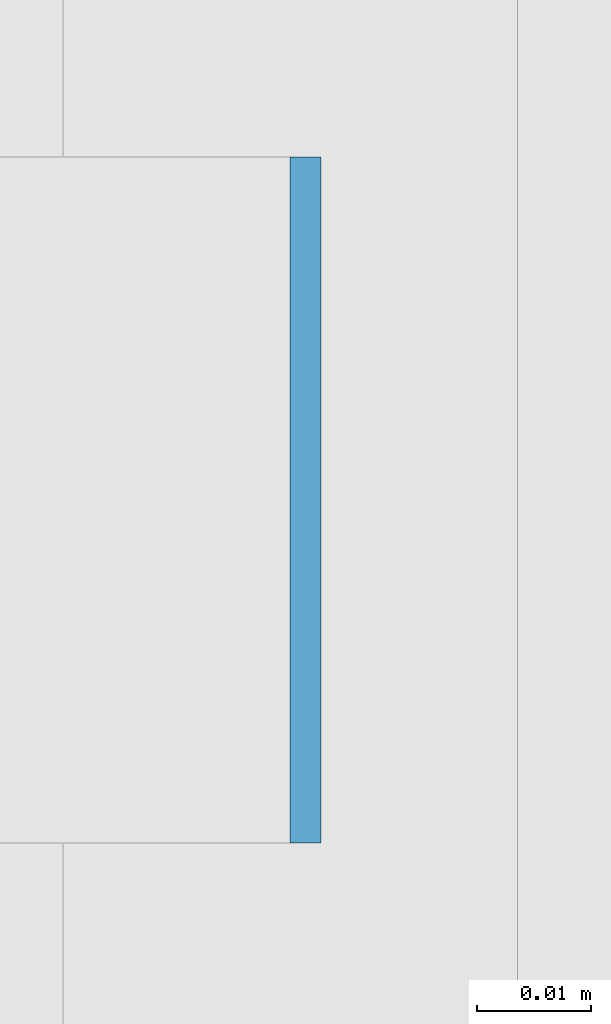
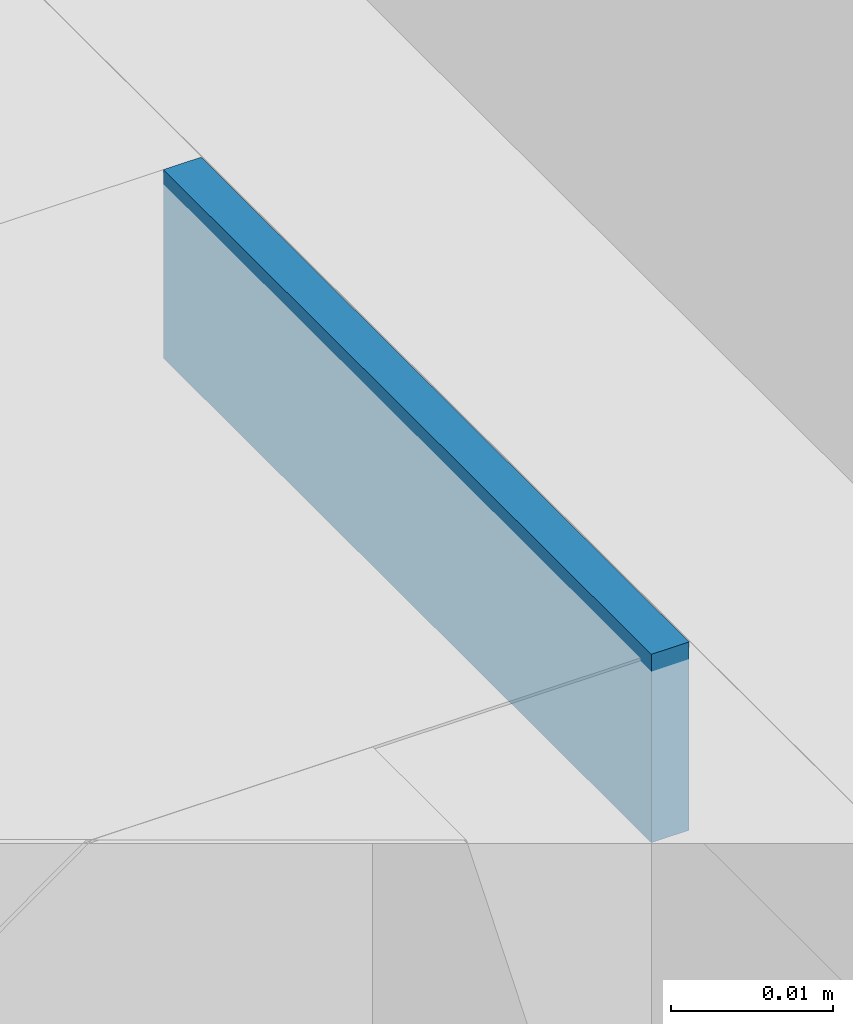
# One storey, part 401 of 646: 1 discrete accessory.
"""IFC4 building model written with IfcOpenShell, lengths in metres."""

from ifc_helpers import new_model, si_unit, direction, frame, origin, origin_2d, place, context, subcontext, project, spatial, rectangle, extrude, material, type_object, element, save


model = new_model("IFC4")

# Units and contexts
model_context = context("Model", 3, precision=1e-05, world=origin(), true_north=direction((0.0, 1.0)))
body_context = subcontext(model_context, "Body", "Model", "MODEL_VIEW")
ifc_project = project(units=[si_unit("LENGTHUNIT", "METRE"), si_unit("AREAUNIT", "SQUARE_METRE"), si_unit("VOLUMEUNIT", "CUBIC_METRE"), si_unit("PLANEANGLEUNIT", "RADIAN"), si_unit("MASSUNIT", "GRAM", prefix="KILO")], contexts=[model_context])

# Site, building, storey
site_placement = place(None, origin())
site = spatial("IfcSite", under=ifc_project, at=site_placement, CompositionType="ELEMENT")
building_placement = place(site_placement, origin())
building = spatial("IfcBuilding", under=site, at=building_placement, Name="Silverbay Arena", CompositionType="ELEMENT")
storey_placement = place(building_placement, frame((0.0, 0.0, 33.5)))
storey = spatial("IfcBuildingStorey", under=building, at=storey_placement, Name="L05", CompositionType="ELEMENT", Elevation=33.5)

# Discrete accessory
ifc_material = material(Name="Steel S355", Category="steel")
discrete_accessory_type = type_object("IfcDiscreteAccessoryType", Name="Steel bracket plate", PredefinedType="BRACKET", material=ifc_material)
discrete_accessory_placement = place(storey_placement, frame((53.871337890625, 119.571533203125, 12.98583984375), z_axis=(0.0, 0.0, 1.0), x_axis=(1.0, 0.0, 0.0)))
element("IfcDiscreteAccessory", 1, at=discrete_accessory_placement, inside=storey, type_object=discrete_accessory_type, Name="Curtain wall packing plate", PredefinedType="BRACKET", context=body_context, shape_type="SweptSolid", body=[
    extrude(rectangle(XDim=0.002685546875, YDim=0.06005859375, at=origin_2d()), origin(), (0.0, 0.0, 1.0), 0.01416015625),
])

save(model, "model.ifc")
